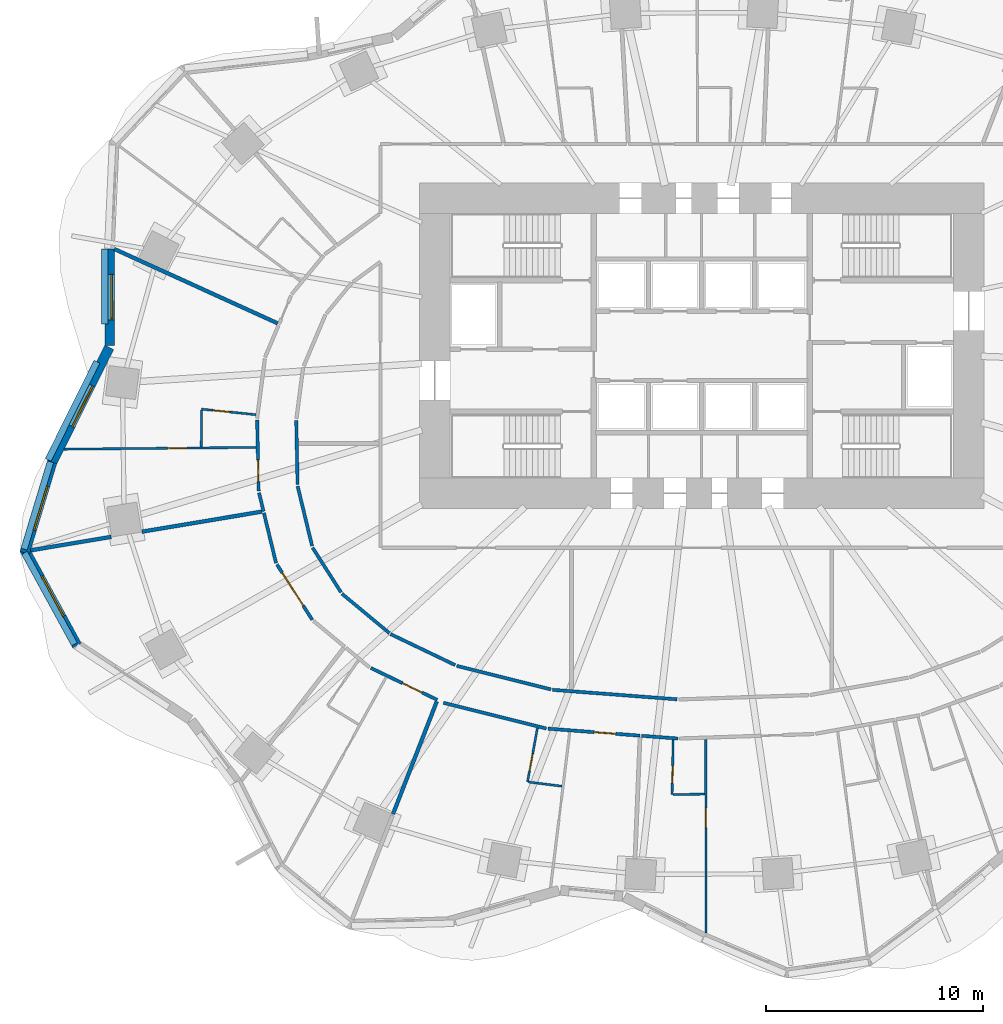
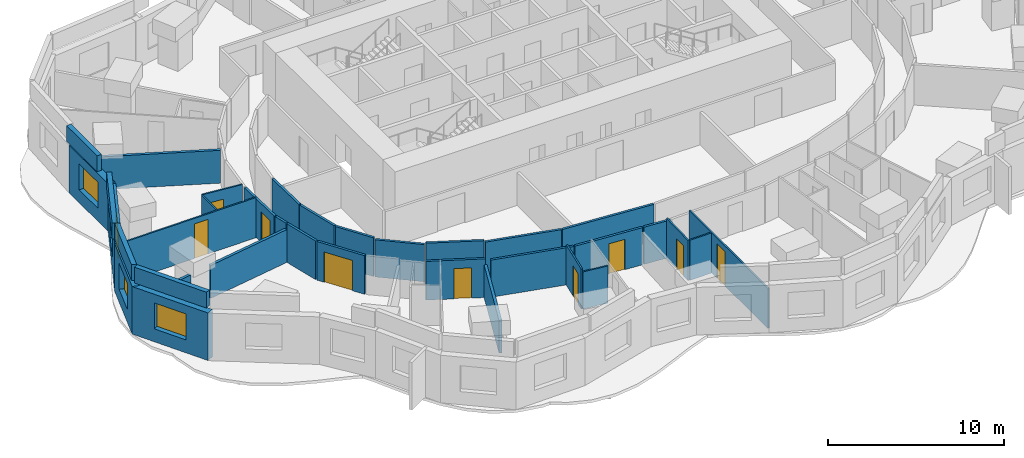
# One storey, part 4 of 12: 35 walls, 9 doors, 4 windows, 13 openings.
"""IFC4 building model written with IfcOpenShell, lengths in metres."""

from ifc_helpers import new_model, si_unit, direction, frame, frame_2d, origin, place, context, subcontext, project, spatial, rectangle, extrude, material, layer, layer_set, type_object, element, fill, save


model = new_model("IFC4")

# Units and contexts
model_context = context("Model", 3, precision=1e-05, world=origin(), true_north=direction((0.0, 1.0)))
body_context = subcontext(model_context, "Body", "Model", "MODEL_VIEW")
ifc_project = project(units=[si_unit("LENGTHUNIT", "METRE"), si_unit("AREAUNIT", "SQUARE_METRE"), si_unit("VOLUMEUNIT", "CUBIC_METRE"), si_unit("PLANEANGLEUNIT", "RADIAN"), si_unit("MASSUNIT", "GRAM", prefix="KILO")], contexts=[model_context])

# Site, building, storey
site_placement = place(None, origin())
site = spatial("IfcSite", under=ifc_project, at=site_placement, CompositionType="ELEMENT")
building_placement = place(site_placement, origin())
building = spatial("IfcBuilding", under=site, at=building_placement, Name="Rubra Terraces Tower", CompositionType="ELEMENT")
storey_placement = place(building_placement, frame((0.0, 0.0, 73.5)))
storey = spatial("IfcBuildingStorey", under=building, at=storey_placement, Name="L16", CompositionType="ELEMENT", Elevation=73.5)

# Walls
ifc_material_1 = material(Name="Twin plasterboard on staggered steel stud, acoustic mineral wool", Category="steel")
ifc_layer_1 = layer(ifc_material_1, 0.175048828125)
ifc_layer_set_1 = layer_set([ifc_layer_1], Name="Twin plasterboard on staggered steel stud, acoustic mineral wool")
wall_type_1 = type_object("IfcWallType", Name="ACOUSTIC PARTY WALL 175 LOW HEAD", PredefinedType="PARTITIONING", material=ifc_layer_set_1)
wall_1_placement = place(storey_placement, frame((-27.055908203125, 8.9599609375, 0.0), z_axis=(0.0, 0.0, 1.0), x_axis=(0.910158921773, -0.414259263164, 0.0)))
element("IfcWall", 1, at=wall_1_placement, inside=storey, type_object=wall_type_1, Name="PARTITION", PredefinedType="PARTITIONING", context=body_context, shape_type="SweptSolid", body=[
    extrude(rectangle(XDim=8.2626953125, YDim=0.175048828125, at=frame_2d((4.13134765625, 0.0))), origin(), (0.0, 0.0, 1.0), 2.280029296875),
])
wall_2_placement = place(storey_placement, frame((-30.914306640625, -4.923095703125, 0.0), z_axis=(0.0, 0.0, 1.0), x_axis=(0.986255007441, 0.165230324995, 0.0)))
element("IfcWall", 2, at=wall_2_placement, inside=storey, type_object=wall_type_1, Name="PARTITION", PredefinedType="PARTITIONING", context=body_context, shape_type="SweptSolid", body=[
    extrude(rectangle(XDim=3.761962890625, YDim=0.175048828125, at=frame_2d((1.880859375, 0.0))), origin(), (0.0, 0.0, 1.0), 2.280029296875),
])
wall_3_placement = place(storey_placement, frame((-25.783935546875, -4.063720703125, 0.0), z_axis=(0.0, 0.0, 1.0), x_axis=(0.986261705635, 0.165190338697, 0.0)))
element("IfcWall", 3, at=wall_3_placement, inside=storey, type_object=wall_type_1, Name="PARTITION", PredefinedType="PARTITIONING", context=body_context, shape_type="SweptSolid", body=[
    extrude(rectangle(XDim=5.602783203125, YDim=0.175048828125, at=frame_2d((2.80126953125, 0.0))), origin(), (0.0, 0.0, 1.0), 2.280029296875),
])
wall_4_placement = place(storey_placement, frame((-14.218017578125, -17.0712890625, 0.0), z_axis=(0.0, 0.0, 1.0), x_axis=(0.3622388541, 0.932085303274, 0.0)))
element("IfcWall", 4, at=wall_4_placement, inside=storey, type_object=wall_type_1, Name="PARTITION", PredefinedType="PARTITIONING", context=body_context, shape_type="SweptSolid", body=[
    extrude(rectangle(XDim=5.567138671875, YDim=0.175048828125, at=frame_2d((2.78369140625, 0.0))), origin(), (0.0, 0.0, 1.0), 2.280029296875),
])

# Wall, opening, window
ifc_material_2 = material(Name="Brick masonry red-brown", Category="masonry")
ifc_layer_2 = layer(ifc_material_2, 0.449951171875)
ifc_layer_set_2 = layer_set([ifc_layer_2], Name="Brick masonry red-brown")
wall_type_2 = type_object("IfcWallType", Name="Brick facade wall 450", PredefinedType="SOLIDWALL", material=ifc_layer_set_2)
wall_5_placement = place(storey_placement, frame((-27.284912109375, 8.966796875, 0.0), z_axis=(0.0, 0.0, 1.0), x_axis=(0.003185571797, -0.999994926053, 0.0)))
wall_5 = element("IfcWall", 5, at=wall_5_placement, inside=storey, type_object=wall_type_2, Name="Facade wall L16 bay 19", PredefinedType="SOLIDWALL", context=body_context, shape_type="SweptSolid", body=[
    extrude(rectangle(XDim=4.445068359375, YDim=0.449951171875, at=frame_2d((2.22265625, 0.0))), origin(), (0.0, 0.0, 1.0), 3.300048828125),
])
opening_1_placement = place(wall_5_placement, frame((1.172607421875, 0.0, 0.89990234375)))
opening_1 = element("IfcOpeningElement", 6, at=opening_1_placement, cuts=wall_5, Name="Opening W1Z", PredefinedType="OPENING", context=body_context, shape_type="SweptSolid", body=[
    extrude(rectangle(XDim=2.10009765625, YDim=1.800048828125, at=frame_2d((1.050048828125, 0.89990234375))), frame((0.0, 0.23486328125, 0.0), z_axis=(0.0, -1.0, 0.0), x_axis=(1.0, 0.0, 0.0)), (0.0, 0.0, 1.0), 0.469970703125),
])
ifc_material_3 = material(Name="Clear glass in aluminium frame", Category="aluminium")
window_type = type_object("IfcWindowType", Name="Fixed deep-set window under transfer level 2100 x 1800", PartitioningType="SINGLE_PANEL", PredefinedType="WINDOW", material=ifc_material_3)
window_1_placement = place(opening_1_placement, origin())
window_1 = element("IfcWindow", 7, at=window_1_placement, inside=storey, type_object=window_type, Name="Window L16 bay 19", OverallHeight=1.800048828125, OverallWidth=2.10009765625, PartitioningType="SINGLE_PANEL", PredefinedType="WINDOW", context=body_context, shape_type="SweptSolid", body=[
    extrude(rectangle(XDim=2.10009765625, YDim=1.800048828125, at=frame_2d((1.050048828125, 0.89990234375))), frame((0.0, 0.135009765625, 0.0), z_axis=(0.0, -1.0, 0.0), x_axis=(1.0, 0.0, 0.0)), (0.0, 0.0, 1.0), 0.06005859375),
])
fill(opening_1, window_1)

wall_6_placement = place(storey_placement, frame((-27.294189453125, 4.426513671875, 0.0), z_axis=(0.0, 0.0, 1.0), x_axis=(-0.444913249375, -0.895573671191, 0.0)))
wall_6 = element("IfcWall", 8, at=wall_6_placement, inside=storey, type_object=wall_type_2, Name="Facade wall L16 bay 20", PredefinedType="SOLIDWALL", context=body_context, shape_type="SweptSolid", body=[
    extrude(rectangle(XDim=5.947265625, YDim=0.449951171875, at=frame_2d((2.9736328125, 0.0))), origin(), (0.0, 0.0, 1.0), 3.300048828125),
])
opening_2_placement = place(wall_6_placement, frame((1.923583984375, 0.0, 0.89990234375)))
opening_2 = element("IfcOpeningElement", 9, at=opening_2_placement, cuts=wall_6, Name="Opening W1Z", PredefinedType="OPENING", context=body_context, shape_type="SweptSolid", body=[
    extrude(rectangle(XDim=2.10009765625, YDim=1.800048828125, at=frame_2d((1.050048828125, 0.89990234375))), frame((0.0, 0.23486328125, 0.0), z_axis=(0.0, -1.0, 0.0), x_axis=(1.0, 0.0, 0.0)), (0.0, 0.0, 1.0), 0.469970703125),
])
window_2_placement = place(opening_2_placement, origin())
window_2 = element("IfcWindow", 10, at=window_2_placement, inside=storey, type_object=window_type, Name="Window L16 bay 20", OverallHeight=1.800048828125, OverallWidth=2.10009765625, PartitioningType="SINGLE_PANEL", PredefinedType="WINDOW", context=body_context, shape_type="SweptSolid", body=[
    extrude(rectangle(XDim=2.10009765625, YDim=1.800048828125, at=frame_2d((1.050048828125, 0.89990234375))), frame((0.0, 0.135009765625, 0.0), z_axis=(0.0, -1.0, 0.0), x_axis=(1.0, 0.0, 0.0)), (0.0, 0.0, 1.0), 0.06005859375),
])
fill(opening_2, window_2)

wall_7_placement = place(storey_placement, frame((-29.926513671875, -0.86474609375, 0.0), z_axis=(0.0, 0.0, 1.0), x_axis=(-0.289432445378, -0.957198443147, 0.0)))
wall_7 = element("IfcWall", 11, at=wall_7_placement, inside=storey, type_object=wall_type_2, Name="Facade wall L16 bay 21", PredefinedType="SOLIDWALL", context=body_context, shape_type="SweptSolid", body=[
    extrude(rectangle(XDim=4.361083984375, YDim=0.449951171875, at=frame_2d((2.1806640625, 0.0))), origin(), (0.0, 0.0, 1.0), 3.300048828125),
])
opening_3_placement = place(wall_7_placement, frame((1.130615234375, 0.0, 0.89990234375)))
opening_3 = element("IfcOpeningElement", 12, at=opening_3_placement, cuts=wall_7, Name="Opening W1Z", PredefinedType="OPENING", context=body_context, shape_type="SweptSolid", body=[
    extrude(rectangle(XDim=2.10009765625, YDim=1.800048828125, at=frame_2d((1.050048828125, 0.89990234375))), frame((0.0, 0.23486328125, 0.0), z_axis=(0.0, -1.0, 0.0), x_axis=(1.0, 0.0, 0.0)), (0.0, 0.0, 1.0), 0.469970703125),
])
window_3_placement = place(opening_3_placement, origin())
window_3 = element("IfcWindow", 13, at=window_3_placement, inside=storey, type_object=window_type, Name="Window L16 bay 21", OverallHeight=1.800048828125, OverallWidth=2.10009765625, PartitioningType="SINGLE_PANEL", PredefinedType="WINDOW", context=body_context, shape_type="SweptSolid", body=[
    extrude(rectangle(XDim=2.10009765625, YDim=1.800048828125, at=frame_2d((1.050048828125, 0.89990234375))), frame((0.0, 0.135009765625, 0.0), z_axis=(0.0, -1.0, 0.0), x_axis=(1.0, 0.0, 0.0)), (0.0, 0.0, 1.0), 0.06005859375),
])
fill(opening_3, window_3)

wall_8_placement = place(storey_placement, frame((-31.20654296875, -4.8662109375, 0.0), z_axis=(0.0, 0.0, 1.0), x_axis=(0.479565142605, -0.877506281458, 0.0)))
wall_8 = element("IfcWall", 14, at=wall_8_placement, inside=storey, type_object=wall_type_2, Name="Facade wall L16 bay 22", PredefinedType="SOLIDWALL", context=body_context, shape_type="SweptSolid", body=[
    extrude(rectangle(XDim=5.060791015625, YDim=0.449951171875, at=frame_2d((2.5302734375, 0.0))), origin(), (0.0, 0.0, 1.0), 3.300048828125),
])
opening_4_placement = place(wall_8_placement, frame((1.48046875, 0.0, 0.89990234375)))
opening_4 = element("IfcOpeningElement", 15, at=opening_4_placement, cuts=wall_8, Name="Opening W1Z", PredefinedType="OPENING", context=body_context, shape_type="SweptSolid", body=[
    extrude(rectangle(XDim=2.10009765625, YDim=1.800048828125, at=frame_2d((1.050048828125, 0.89990234375))), frame((0.0, 0.23486328125, 0.0), z_axis=(0.0, -1.0, 0.0), x_axis=(1.0, 0.0, 0.0)), (0.0, 0.0, 1.0), 0.469970703125),
])
window_4_placement = place(opening_4_placement, origin())
window_4 = element("IfcWindow", 16, at=window_4_placement, inside=storey, type_object=window_type, Name="Window L16 bay 22", OverallHeight=1.800048828125, OverallWidth=2.10009765625, PartitioningType="SINGLE_PANEL", PredefinedType="WINDOW", context=body_context, shape_type="SweptSolid", body=[
    extrude(rectangle(XDim=2.10009765625, YDim=1.800048828125, at=frame_2d((1.050048828125, 0.89990234375))), frame((0.0, 0.135009765625, 0.0), z_axis=(0.0, -1.0, 0.0), x_axis=(1.0, 0.0, 0.0)), (0.0, 0.0, 1.0), 0.06005859375),
])
fill(opening_4, window_4)

# Walls
ifc_layer_3 = layer(ifc_material_2, 0.300048828125)
ifc_layer_set_3 = layer_set([ifc_layer_3], Name="Brick masonry red-brown")
wall_type_3 = type_object("IfcWallType", Name="Brick parapet 300", PredefinedType="PARAPET", material=ifc_layer_set_3)
wall_9_placement = place(storey_placement, frame((-27.510009765625, 8.9716796875, 3.60009765625), z_axis=(0.0, 0.0, 1.0), x_axis=(0.003236912182, -0.999994761186, 0.0)))
element("IfcWall", 17, at=wall_9_placement, inside=storey, type_object=wall_type_3, Name="Parapet L16 bay 19", PredefinedType="PARAPET", context=body_context, shape_type="SweptSolid", body=[
    extrude(rectangle(XDim=3.469482421875, YDim=0.300048828125, at=frame_2d((1.73486328125, 0.0))), origin(), (0.0, 0.0, 1.0), 1.099853515625),
])
wall_10_placement = place(storey_placement, frame((-27.859130859375, 3.77099609375, 3.60009765625), z_axis=(0.0, 0.0, 1.0), x_axis=(-0.444912677503, -0.895573955292, 0.0)))
element("IfcWall", 18, at=wall_10_placement, inside=storey, type_object=wall_type_3, Name="Parapet L16 bay 20", PredefinedType="PARAPET", context=body_context, shape_type="SweptSolid", body=[
    extrude(rectangle(XDim=5.053955078125, YDim=0.300048828125, at=frame_2d((2.52685546875, 0.0))), origin(), (0.0, 0.0, 1.0), 1.099853515625),
])
wall_11_placement = place(storey_placement, frame((-29.998291015625, -0.843017578125, 3.60009765625), z_axis=(0.0, 0.0, 1.0), x_axis=(-0.289403108737, -0.95720731331, 0.0)))
element("IfcWall", 19, at=wall_11_placement, inside=storey, type_object=wall_type_3, Name="Parapet L16 bay 21", PredefinedType="PARAPET", context=body_context, shape_type="SweptSolid", body=[
    extrude(rectangle(XDim=4.205322265625, YDim=0.300048828125, at=frame_2d((2.1025390625, 0.0))), origin(), (0.0, 0.0, 1.0), 1.099853515625),
])
wall_12_placement = place(storey_placement, frame((-31.19775390625, -5.038818359375, 3.60009765625), z_axis=(0.0, 0.0, 1.0), x_axis=(0.479564593641, -0.877506581472, 0.0)))
element("IfcWall", 20, at=wall_12_placement, inside=storey, type_object=wall_type_3, Name="Parapet L16 bay 22", PredefinedType="PARAPET", context=body_context, shape_type="SweptSolid", body=[
    extrude(rectangle(XDim=4.80078125, YDim=0.300048828125, at=frame_2d((2.400390625, 0.0))), origin(), (0.0, 0.0, 1.0), 1.099853515625),
])

# Wall, opening, door
ifc_material_4 = material(Name="Plasterboard on steel stud, mineral wool infill", Category="steel")
ifc_layer_4 = layer(ifc_material_4, 0.14990234375)
ifc_layer_set_4 = layer_set([ifc_layer_4], Name="Plasterboard on steel stud, mineral wool infill")
wall_type_4 = type_object("IfcWallType", Name="CORRIDOR PARTITION 150", PredefinedType="PARTITIONING", material=ifc_layer_set_4)
wall_13_placement = place(storey_placement, frame((-20.476806640625, 1.091796875, 0.0), z_axis=(0.0, 0.0, 1.0), x_axis=(0.020774736247, -0.999784181878, 0.0)))
wall_13 = element("IfcWall", 21, at=wall_13_placement, inside=storey, type_object=wall_type_4, Name="PARTITION", PredefinedType="PARTITIONING", context=body_context, shape_type="SweptSolid", body=[
    extrude(rectangle(XDim=3.29052734375, YDim=0.14990234375, at=frame_2d((1.645263671875, 0.0))), origin(), (0.0, 0.0, 1.0), 2.68408203125),
])
opening_5_placement = place(wall_13_placement, frame((1.85009765625, 0.0, 0.0)))
opening_5 = element("IfcOpeningElement", 22, at=opening_5_placement, cuts=wall_13, Name="Opening 16-112", PredefinedType="OPENING", context=body_context, shape_type="SweptSolid", body=[
    extrude(rectangle(XDim=1.0, YDim=2.10009765625, at=frame_2d((0.5, 1.050048828125))), frame((0.0, 0.0849609375, 0.0), z_axis=(0.0, -1.0, 0.0), x_axis=(1.0, 0.0, 0.0)), (0.0, 0.0, 1.0), 0.169921875),
])
ifc_material_5 = material(Name="Painted timber door leaf", Category="wood")
door_type_1 = type_object("IfcDoorType", Name="ROOM DOOR 1000 X 2100", OperationType="SINGLE_SWING_LEFT", PredefinedType="DOOR", material=ifc_material_5)
door_1_placement = place(opening_5_placement, origin())
door_1 = element("IfcDoor", 23, at=door_1_placement, inside=storey, type_object=door_type_1, Name="DOOR 16-112", OperationType="SINGLE_SWING_RIGHT", OverallHeight=2.10009765625, OverallWidth=1.0, PredefinedType="DOOR", context=body_context, shape_type="SweptSolid", body=[
    extrude(rectangle(XDim=1.0, YDim=2.10009765625, at=frame_2d((0.5, 1.050048828125))), frame((0.0, 0.02490234375, 0.0), z_axis=(0.0, -1.0, 0.0), x_axis=(1.0, 0.0, 0.0)), (0.0, 0.0, 1.0), 0.050048828125),
])
fill(opening_5, door_1)

# Walls
wall_14_placement = place(storey_placement, frame((-20.390869140625, -2.27099609375, 0.0), z_axis=(0.0, 0.0, 1.0), x_axis=(0.235147086106, -0.971959797469, 0.0)))
element("IfcWall", 24, at=wall_14_placement, inside=storey, type_object=wall_type_4, Name="PARTITION", PredefinedType="PARTITIONING", context=body_context, shape_type="SweptSolid", body=[
    extrude(rectangle(XDim=0.87939453125, YDim=0.14990234375, at=frame_2d((0.439697265625, 0.0))), origin(), (0.0, 0.0, 1.0), 2.68408203125),
])
wall_15_placement = place(storey_placement, frame((-20.16650390625, -3.19873046875, 0.0), z_axis=(0.0, 0.0, 1.0), x_axis=(0.235288843044, -0.971925491146, 0.0)))
element("IfcWall", 25, at=wall_15_placement, inside=storey, type_object=wall_type_4, Name="PARTITION", PredefinedType="PARTITIONING", context=body_context, shape_type="SweptSolid", body=[
    extrude(rectangle(XDim=2.38037109375, YDim=0.14990234375, at=frame_2d((1.190185546875, 0.0))), origin(), (0.0, 0.0, 1.0), 2.68408203125),
])

# Wall, opening, door
wall_16_placement = place(storey_placement, frame((-19.566162109375, -5.575439453125, 0.0), z_axis=(0.0, 0.0, 1.0), x_axis=(0.538039111825, -0.842919874096, 0.0)))
wall_16 = element("IfcWall", 26, at=wall_16_placement, inside=storey, type_object=wall_type_4, Name="PARTITION", PredefinedType="PARTITIONING", context=body_context, shape_type="SweptSolid", body=[
    extrude(rectangle(XDim=3.026123046875, YDim=0.14990234375, at=frame_2d((1.51318359375, 0.0))), origin(), (0.0, 0.0, 1.0), 2.68408203125),
])
opening_6_placement = place(wall_16_placement, frame((0.449951171875, 0.0, 0.0)))
opening_6 = element("IfcOpeningElement", 27, at=opening_6_placement, cuts=wall_16, Name="Opening 16-113", PredefinedType="OPENING", context=body_context, shape_type="SweptSolid", body=[
    extrude(rectangle(XDim=1.800048828125, YDim=2.10009765625, at=frame_2d((0.89990234375, 1.050048828125))), frame((0.0, 0.0849609375, 0.0), z_axis=(0.0, -1.0, 0.0), x_axis=(1.0, 0.0, 0.0)), (0.0, 0.0, 1.0), 0.169921875),
])
ifc_material_6 = material(Name="Painted timber door leaf, double", Category="wood")
door_type_2 = type_object("IfcDoorType", Name="ROOM DOUBLE DOOR 1800 X 2100", OperationType="DOUBLE_DOOR_SINGLE_SWING", PredefinedType="DOOR", material=ifc_material_6)
door_2_placement = place(opening_6_placement, origin())
door_2 = element("IfcDoor", 28, at=door_2_placement, inside=storey, type_object=door_type_2, Name="DOOR 16-113", OperationType="DOUBLE_DOOR_SINGLE_SWING", OverallHeight=2.10009765625, OverallWidth=1.800048828125, PredefinedType="DOOR", context=body_context, shape_type="SweptSolid", body=[
    extrude(rectangle(XDim=1.800048828125, YDim=2.10009765625, at=frame_2d((0.89990234375, 1.050048828125))), frame((0.0, 0.02490234375, 0.0), z_axis=(0.0, -1.0, 0.0), x_axis=(1.0, 0.0, 0.0)), (0.0, 0.0, 1.0), 0.050048828125),
])
fill(opening_6, door_2)

wall_17_placement = place(storey_placement, frame((-15.241943359375, -10.34130859375, 0.0), z_axis=(0.0, 0.0, 1.0), x_axis=(0.901668580083, -0.43242776471, 0.0)))
wall_17 = element("IfcWall", 29, at=wall_17_placement, inside=storey, type_object=wall_type_4, Name="PARTITION", PredefinedType="PARTITIONING", context=body_context, shape_type="SweptSolid", body=[
    extrude(rectangle(XDim=3.402099609375, YDim=0.14990234375, at=frame_2d((1.701171875, 0.0))), origin(), (0.0, 0.0, 1.0), 2.68408203125),
])
opening_7_placement = place(wall_17_placement, frame((1.614013671875, 0.0, 0.0)))
opening_7 = element("IfcOpeningElement", 30, at=opening_7_placement, cuts=wall_17, Name="Opening 16-116", PredefinedType="OPENING", context=body_context, shape_type="SweptSolid", body=[
    extrude(rectangle(XDim=1.0, YDim=2.10009765625, at=frame_2d((0.5, 1.050048828125))), frame((0.0, 0.0849609375, 0.0), z_axis=(0.0, -1.0, 0.0), x_axis=(1.0, 0.0, 0.0)), (0.0, 0.0, 1.0), 0.169921875),
])
door_3_placement = place(opening_7_placement, origin())
door_3 = element("IfcDoor", 31, at=door_3_placement, inside=storey, type_object=door_type_1, Name="DOOR 16-116", OperationType="SINGLE_SWING_RIGHT", OverallHeight=2.10009765625, OverallWidth=1.0, PredefinedType="DOOR", context=body_context, shape_type="SweptSolid", body=[
    extrude(rectangle(XDim=1.0, YDim=2.10009765625, at=frame_2d((0.5, 1.050048828125))), frame((0.0, 0.02490234375, 0.0), z_axis=(0.0, -1.0, 0.0), x_axis=(1.0, 0.0, 0.0)), (0.0, 0.0, 1.0), 0.050048828125),
])
fill(opening_7, door_3)

# Walls
wall_18_placement = place(storey_placement, frame((-11.351806640625, -10.210693359375, 0.0), z_axis=(0.0, 0.0, 1.0), x_axis=(-0.901665993511, 0.432433158009, 0.0)))
element("IfcWall", 32, at=wall_18_placement, inside=storey, type_object=wall_type_4, Name="PARTITION", PredefinedType="PARTITIONING", context=body_context, shape_type="SweptSolid", body=[
    extrude(rectangle(XDim=3.303955078125, YDim=0.14990234375, at=frame_2d((1.65185546875, 0.0))), origin(), (0.0, 0.0, 1.0), 2.68408203125),
])
wall_19_placement = place(storey_placement, frame((-16.6123046875, -6.857666015625, 0.0), z_axis=(0.0, 0.0, 1.0), x_axis=(-0.53797355371, 0.842961716514, 0.0)))
element("IfcWall", 33, at=wall_19_placement, inside=storey, type_object=wall_type_4, Name="PARTITION", PredefinedType="PARTITIONING", context=body_context, shape_type="SweptSolid", body=[
    extrude(rectangle(XDim=2.44482421875, YDim=0.14990234375, at=frame_2d((1.222412109375, 0.0))), origin(), (0.0, 0.0, 1.0), 2.68408203125),
])
wall_20_placement = place(storey_placement, frame((-17.9453125, -4.72412109375, 0.0), z_axis=(0.0, 0.0, 1.0), x_axis=(-0.235203730389, 0.971946091721, 0.0)))
element("IfcWall", 34, at=wall_20_placement, inside=storey, type_object=wall_type_4, Name="PARTITION", PredefinedType="PARTITIONING", context=body_context, shape_type="SweptSolid", body=[
    extrude(rectangle(XDim=2.8388671875, YDim=0.14990234375, at=frame_2d((1.41943359375, 0.0))), origin(), (0.0, 0.0, 1.0), 2.68408203125),
])
wall_21_placement = place(storey_placement, frame((-18.614501953125, -1.889892578125, 0.0), z_axis=(0.0, 0.0, 1.0), x_axis=(-0.020789300895, 0.99978387913, 0.0)))
element("IfcWall", 35, at=wall_21_placement, inside=storey, type_object=wall_type_4, Name="PARTITION", PredefinedType="PARTITIONING", context=body_context, shape_type="SweptSolid", body=[
    extrude(rectangle(XDim=2.95947265625, YDim=0.14990234375, at=frame_2d((1.479736328125, 0.0))), origin(), (0.0, 0.0, 1.0), 2.68408203125),
])
ifc_layer_5 = layer(ifc_material_4, 0.14990234375)
ifc_layer_set_5 = layer_set([ifc_layer_5], Name="Plasterboard on steel stud, mineral wool infill")
wall_type_5 = type_object("IfcWallType", Name="CORRIDOR PARTITION 150 LOW HEAD", PredefinedType="PARTITIONING", material=ifc_layer_set_5)
wall_22_placement = place(storey_placement, frame((-11.898193359375, -11.94482421875, 0.0), z_axis=(0.0, 0.0, 1.0), x_axis=(0.970083727867, -0.24277059321, 0.0)))
element("IfcWall", 36, at=wall_22_placement, inside=storey, type_object=wall_type_5, Name="PARTITION", PredefinedType="PARTITIONING", context=body_context, shape_type="SweptSolid", body=[
    extrude(rectangle(XDim=4.889404296875, YDim=0.14990234375, at=frame_2d((2.44482421875, 0.0))), origin(), (0.0, 0.0, 1.0), 2.580078125),
])

# Wall, opening, door
wall_23_placement = place(storey_placement, frame((-7.080078125, -13.137451171875, 0.0), z_axis=(0.0, 0.0, 1.0), x_axis=(0.997102544245, -0.07606915446, 0.0)))
wall_23 = element("IfcWall", 37, at=wall_23_placement, inside=storey, type_object=wall_type_5, Name="PARTITION", PredefinedType="PARTITIONING", context=body_context, shape_type="SweptSolid", body=[
    extrude(rectangle(XDim=4.255859375, YDim=0.14990234375, at=frame_2d((2.1279296875, 0.0))), origin(), (0.0, 0.0, 1.0), 2.580078125),
])
opening_8_placement = place(wall_23_placement, frame((2.135986328125, 0.0, 0.0)))
opening_8 = element("IfcOpeningElement", 38, at=opening_8_placement, cuts=wall_23, Name="Opening 16-119", PredefinedType="OPENING", context=body_context, shape_type="SweptSolid", body=[
    extrude(rectangle(XDim=1.0, YDim=2.10009765625, at=frame_2d((0.5, 1.050048828125))), frame((0.0, 0.0849609375, 0.0), z_axis=(0.0, -1.0, 0.0), x_axis=(1.0, 0.0, 0.0)), (0.0, 0.0, 1.0), 0.169921875),
])
door_4_placement = place(opening_8_placement, origin())
door_4 = element("IfcDoor", 39, at=door_4_placement, inside=storey, type_object=door_type_1, Name="DOOR 16-119", OperationType="SINGLE_SWING_RIGHT", OverallHeight=2.10009765625, OverallWidth=1.0, PredefinedType="DOOR", context=body_context, shape_type="SweptSolid", body=[
    extrude(rectangle(XDim=1.0, YDim=2.10009765625, at=frame_2d((0.5, 1.050048828125))), frame((0.0, 0.02490234375, 0.0), z_axis=(0.0, -1.0, 0.0), x_axis=(1.0, 0.0, 0.0)), (0.0, 0.0, 1.0), 0.050048828125),
])
fill(opening_8, door_4)

# Walls
wall_24_placement = place(storey_placement, frame((-2.761962890625, -13.467041015625, 0.0), z_axis=(0.0, 0.0, 1.0), x_axis=(0.9971056667, -0.076028214726, 0.0)))
element("IfcWall", 40, at=wall_24_placement, inside=storey, type_object=wall_type_5, Name="PARTITION", PredefinedType="PARTITIONING", context=body_context, shape_type="SweptSolid", body=[
    extrude(rectangle(XDim=1.67626953125, YDim=0.14990234375, at=frame_2d((0.838134765625, 0.0))), origin(), (0.0, 0.0, 1.0), 2.580078125),
])
wall_25_placement = place(storey_placement, frame((-1.126953125, -11.78662109375, 0.0), z_axis=(0.0, 0.0, 1.0), x_axis=(-0.997100464786, 0.076096406765, 0.0)))
element("IfcWall", 41, at=wall_25_placement, inside=storey, type_object=wall_type_5, Name="PARTITION", PredefinedType="PARTITIONING", context=body_context, shape_type="SweptSolid", body=[
    extrude(rectangle(XDim=5.755615234375, YDim=0.14990234375, at=frame_2d((2.8779296875, 0.0))), origin(), (0.0, 0.0, 1.0), 2.580078125),
])
wall_26_placement = place(storey_placement, frame((-6.938720703125, -11.330322265625, 0.0), z_axis=(0.0, 0.0, 1.0), x_axis=(-0.970087973264, 0.242753628458, 0.0)))
element("IfcWall", 42, at=wall_26_placement, inside=storey, type_object=wall_type_5, Name="PARTITION", PredefinedType="PARTITIONING", context=body_context, shape_type="SweptSolid", body=[
    extrude(rectangle(XDim=4.4794921875, YDim=0.14990234375, at=frame_2d((2.23974609375, 0.0))), origin(), (0.0, 0.0, 1.0), 2.580078125),
])
wall_27_placement = place(storey_placement, frame((-14.388427734375, -8.73388671875, 0.0), z_axis=(0.0, 0.0, 1.0), x_axis=(-0.769376381092, 0.63879572965, 0.0)))
element("IfcWall", 43, at=wall_27_placement, inside=storey, type_object=wall_type_5, Name="PARTITION", PredefinedType="PARTITIONING", context=body_context, shape_type="SweptSolid", body=[
    extrude(rectangle(XDim=2.838134765625, YDim=0.14990234375, at=frame_2d((1.4189453125, 0.0))), origin(), (0.0, 0.0, 1.0), 2.580078125),
])

# Wall, opening, door
ifc_material_7 = material(Name="Plasterboard on steel stud", Category="steel")
ifc_layer_6 = layer(ifc_material_7, 0.10009765625)
ifc_layer_set_6 = layer_set([ifc_layer_6], Name="Plasterboard on steel stud")
wall_type_6 = type_object("IfcWallType", Name="ROOM PARTITION 100", PredefinedType="PARTITIONING", material=ifc_layer_set_6)
wall_28_placement = place(storey_placement, frame((-29.367919921875, -0.26220703125, 0.0), z_axis=(0.0, 0.0, 1.0), x_axis=(0.999956200621, 0.009359318369, 0.0)))
wall_28 = element("IfcWall", 44, at=wall_28_placement, inside=storey, type_object=wall_type_6, Name="PARTITION", PredefinedType="PARTITIONING", context=body_context, shape_type="SweptSolid", body=[
    extrude(rectangle(XDim=8.843017578125, YDim=0.10009765625, at=frame_2d((4.42138671875, 0.0))), origin(), (0.0, 0.0, 1.0), 2.783935546875),
])
opening_9_placement = place(wall_28_placement, frame((4.76806640625, 0.0, 0.0)))
opening_9 = element("IfcOpeningElement", 45, at=opening_9_placement, cuts=wall_28, Name="Opening 16-111", PredefinedType="OPENING", context=body_context, shape_type="SweptSolid", body=[
    extrude(rectangle(XDim=0.89990234375, YDim=2.39990234375, at=frame_2d((0.449951171875, 1.199951171875))), frame((0.0, 0.06005859375, 0.0), z_axis=(0.0, -1.0, 0.0), x_axis=(1.0, 0.0, 0.0)), (0.0, 0.0, 1.0), 0.1201171875),
])
ifc_material_8 = material(Name="Veneered timber door leaf, fire-rated", Category="wood")
door_type_3 = type_object("IfcDoorType", Name="SUITE ENTRANCE DOOR 900 X 2400", OperationType="SINGLE_SWING_LEFT", PredefinedType="DOOR", material=ifc_material_8)
door_5_placement = place(opening_9_placement, origin())
door_5 = element("IfcDoor", 46, at=door_5_placement, inside=storey, type_object=door_type_3, Name="DOOR 16-111", OperationType="SINGLE_SWING_LEFT", OverallHeight=2.39990234375, OverallWidth=0.89990234375, PredefinedType="DOOR", context=body_context, shape_type="SweptSolid", body=[
    extrude(rectangle(XDim=0.89990234375, YDim=2.39990234375, at=frame_2d((0.449951171875, 1.199951171875))), frame((0.0, 0.02490234375, 0.0), z_axis=(0.0, -1.0, 0.0), x_axis=(1.0, 0.0, 0.0)), (0.0, 0.0, 1.0), 0.050048828125),
])
fill(opening_9, door_5)

wall_29_placement = place(storey_placement, frame((-20.533203125, 1.327392578125, 0.0), z_axis=(0.0, 0.0, 1.0), x_axis=(-0.994862401986, 0.101236362609, 0.0)))
wall_29 = element("IfcWall", 47, at=wall_29_placement, inside=storey, type_object=wall_type_6, Name="PARTITION", PredefinedType="PARTITIONING", context=body_context, shape_type="SweptSolid", body=[
    extrude(rectangle(XDim=2.52490234375, YDim=0.10009765625, at=frame_2d((1.262451171875, 0.0))), origin(), (0.0, 0.0, 1.0), 2.783935546875),
])
opening_10_placement = place(wall_29_placement, frame((1.199951171875, 0.0, 0.0)))
opening_10 = element("IfcOpeningElement", 48, at=opening_10_placement, cuts=wall_29, Name="Opening 16-110", PredefinedType="OPENING", context=body_context, shape_type="SweptSolid", body=[
    extrude(rectangle(XDim=0.800048828125, YDim=2.10009765625, at=frame_2d((0.39990234375, 1.050048828125))), frame((0.0, 0.06005859375, 0.0), z_axis=(0.0, -1.0, 0.0), x_axis=(1.0, 0.0, 0.0)), (0.0, 0.0, 1.0), 0.1201171875),
])
door_type_4 = type_object("IfcDoorType", Name="BATHROOM DOOR 800 X 2100", OperationType="SINGLE_SWING_LEFT", PredefinedType="DOOR", material=ifc_material_5)
door_6_placement = place(opening_10_placement, origin())
door_6 = element("IfcDoor", 49, at=door_6_placement, inside=storey, type_object=door_type_4, Name="DOOR 16-110", OperationType="SINGLE_SWING_LEFT", OverallHeight=2.10009765625, OverallWidth=0.800048828125, PredefinedType="DOOR", context=body_context, shape_type="SweptSolid", body=[
    extrude(rectangle(XDim=0.800048828125, YDim=2.10009765625, at=frame_2d((0.39990234375, 1.050048828125))), frame((0.0, 0.02490234375, 0.0), z_axis=(0.0, -1.0, 0.0), x_axis=(1.0, 0.0, 0.0)), (0.0, 0.0, 1.0), 0.050048828125),
])
fill(opening_10, door_6)

# Wall
wall_30_placement = place(storey_placement, frame((-23.04541015625, 1.533203125, 0.0), z_axis=(0.0, 0.0, 1.0), x_axis=(-0.002895601007, -0.999995807739, 0.0)))
element("IfcWall", 50, at=wall_30_placement, inside=storey, type_object=wall_type_6, Name="PARTITION", PredefinedType="PARTITIONING", context=body_context, shape_type="SweptSolid", body=[
    extrude(rectangle(XDim=1.686279296875, YDim=0.10009765625, at=frame_2d((0.84326171875, 0.0))), origin(), (0.0, 0.0, 1.0), 2.783935546875),
])

# Wall, opening, door
wall_31_placement = place(storey_placement, frame((-7.564697265625, -13.1064453125, 0.0), z_axis=(0.0, 0.0, 1.0), x_axis=(-0.180527437527, -0.98356994886, 0.0)))
wall_31 = element("IfcWall", 51, at=wall_31_placement, inside=storey, type_object=wall_type_6, Name="PARTITION", PredefinedType="PARTITIONING", context=body_context, shape_type="SweptSolid", body=[
    extrude(rectangle(XDim=2.52490234375, YDim=0.10009765625, at=frame_2d((1.262451171875, 0.0))), origin(), (0.0, 0.0, 1.0), 2.783935546875),
])
opening_11_placement = place(wall_31_placement, frame((1.199951171875, 0.0, 0.0)))
opening_11 = element("IfcOpeningElement", 52, at=opening_11_placement, cuts=wall_31, Name="Opening 16-117", PredefinedType="OPENING", context=body_context, shape_type="SweptSolid", body=[
    extrude(rectangle(XDim=0.800048828125, YDim=2.10009765625, at=frame_2d((0.39990234375, 1.050048828125))), frame((0.0, 0.06005859375, 0.0), z_axis=(0.0, -1.0, 0.0), x_axis=(1.0, 0.0, 0.0)), (0.0, 0.0, 1.0), 0.1201171875),
])
door_7_placement = place(opening_11_placement, origin())
door_7 = element("IfcDoor", 53, at=door_7_placement, inside=storey, type_object=door_type_4, Name="DOOR 16-117", OperationType="SINGLE_SWING_LEFT", OverallHeight=2.10009765625, OverallWidth=0.800048828125, PredefinedType="DOOR", context=body_context, shape_type="SweptSolid", body=[
    extrude(rectangle(XDim=0.800048828125, YDim=2.10009765625, at=frame_2d((0.39990234375, 1.050048828125))), frame((0.0, 0.02490234375, 0.0), z_axis=(0.0, -1.0, 0.0), x_axis=(1.0, 0.0, 0.0)), (0.0, 0.0, 1.0), 0.050048828125),
])
fill(opening_11, door_7)

wall_32_placement = place(storey_placement, frame((0.20751953125, -22.55322265625, 0.0), z_axis=(0.0, 0.0, 1.0), x_axis=(-0.002051193584, 0.9999978963, 0.0)))
wall_32 = element("IfcWall", 54, at=wall_32_placement, inside=storey, type_object=wall_type_6, Name="PARTITION", PredefinedType="PARTITIONING", context=body_context, shape_type="SweptSolid", body=[
    extrude(rectangle(XDim=8.9267578125, YDim=0.10009765625, at=frame_2d((4.46337890625, 0.0))), origin(), (0.0, 0.0, 1.0), 2.783935546875),
])
opening_12_placement = place(wall_32_placement, frame((4.85205078125, 0.0, 0.0)))
opening_12 = element("IfcOpeningElement", 55, at=opening_12_placement, cuts=wall_32, Name="Opening 16-122", PredefinedType="OPENING", context=body_context, shape_type="SweptSolid", body=[
    extrude(rectangle(XDim=0.89990234375, YDim=2.39990234375, at=frame_2d((0.449951171875, 1.199951171875))), frame((0.0, 0.06005859375, 0.0), z_axis=(0.0, -1.0, 0.0), x_axis=(1.0, 0.0, 0.0)), (0.0, 0.0, 1.0), 0.1201171875),
])
door_8_placement = place(opening_12_placement, origin())
door_8 = element("IfcDoor", 56, at=door_8_placement, inside=storey, type_object=door_type_3, Name="DOOR 16-122", OperationType="SINGLE_SWING_LEFT", OverallHeight=2.39990234375, OverallWidth=0.89990234375, PredefinedType="DOOR", context=body_context, shape_type="SweptSolid", body=[
    extrude(rectangle(XDim=0.89990234375, YDim=2.39990234375, at=frame_2d((0.449951171875, 1.199951171875))), frame((0.0, 0.02490234375, 0.0), z_axis=(0.0, -1.0, 0.0), x_axis=(1.0, 0.0, 0.0)), (0.0, 0.0, 1.0), 0.050048828125),
])
fill(opening_12, door_8)

wall_33_placement = place(storey_placement, frame((-1.31103515625, -13.65283203125, 0.0), z_axis=(0.0, 0.0, 1.0), x_axis=(-0.019242084713, -0.999814853948, 0.0)))
wall_33 = element("IfcWall", 57, at=wall_33_placement, inside=storey, type_object=wall_type_6, Name="PARTITION", PredefinedType="PARTITIONING", context=body_context, shape_type="SweptSolid", body=[
    extrude(rectangle(XDim=2.52490234375, YDim=0.10009765625, at=frame_2d((1.262451171875, 0.0))), origin(), (0.0, 0.0, 1.0), 2.783935546875),
])
opening_13_placement = place(wall_33_placement, frame((1.199951171875, 0.0, 0.0)))
opening_13 = element("IfcOpeningElement", 58, at=opening_13_placement, cuts=wall_33, Name="Opening 16-120", PredefinedType="OPENING", context=body_context, shape_type="SweptSolid", body=[
    extrude(rectangle(XDim=0.800048828125, YDim=2.10009765625, at=frame_2d((0.39990234375, 1.050048828125))), frame((0.0, 0.06005859375, 0.0), z_axis=(0.0, -1.0, 0.0), x_axis=(1.0, 0.0, 0.0)), (0.0, 0.0, 1.0), 0.1201171875),
])
door_9_placement = place(opening_13_placement, origin())
door_9 = element("IfcDoor", 59, at=door_9_placement, inside=storey, type_object=door_type_4, Name="DOOR 16-120", OperationType="SINGLE_SWING_LEFT", OverallHeight=2.10009765625, OverallWidth=0.800048828125, PredefinedType="DOOR", context=body_context, shape_type="SweptSolid", body=[
    extrude(rectangle(XDim=0.800048828125, YDim=2.10009765625, at=frame_2d((0.39990234375, 1.050048828125))), frame((0.0, 0.02490234375, 0.0), z_axis=(0.0, -1.0, 0.0), x_axis=(1.0, 0.0, 0.0)), (0.0, 0.0, 1.0), 0.050048828125),
])
fill(opening_13, door_9)

# Walls
wall_34_placement = place(storey_placement, frame((-1.309814453125, -16.176513671875, 0.0), z_axis=(0.0, 0.0, 1.0), x_axis=(0.999861884941, 0.016619598155, 0.0)))
element("IfcWall", 60, at=wall_34_placement, inside=storey, type_object=wall_type_6, Name="PARTITION", PredefinedType="PARTITIONING", context=body_context, shape_type="SweptSolid", body=[
    extrude(rectangle(XDim=1.454345703125, YDim=0.10009765625, at=frame_2d((0.72705078125, 0.0))), origin(), (0.0, 0.0, 1.0), 2.783935546875),
])
ifc_layer_7 = layer(ifc_material_7, 0.10009765625)
ifc_layer_set_7 = layer_set([ifc_layer_7], Name="Plasterboard on steel stud")
wall_type_7 = type_object("IfcWallType", Name="ROOM PARTITION 100 LOW HEAD", PredefinedType="PARTITIONING", material=ifc_layer_set_7)
wall_35_placement = place(storey_placement, frame((-7.970947265625, -15.59619140625, 0.0), z_axis=(0.0, 0.0, 1.0), x_axis=(0.992197649384, -0.124674875403, 0.0)))
element("IfcWall", 61, at=wall_35_placement, inside=storey, type_object=wall_type_7, Name="PARTITION", PredefinedType="PARTITIONING", context=body_context, shape_type="SweptSolid", body=[
    extrude(rectangle(XDim=1.549072265625, YDim=0.10009765625, at=frame_2d((0.7744140625, 0.0))), origin(), (0.0, 0.0, 1.0), 2.580078125),
])

save(model, "model.ifc")
